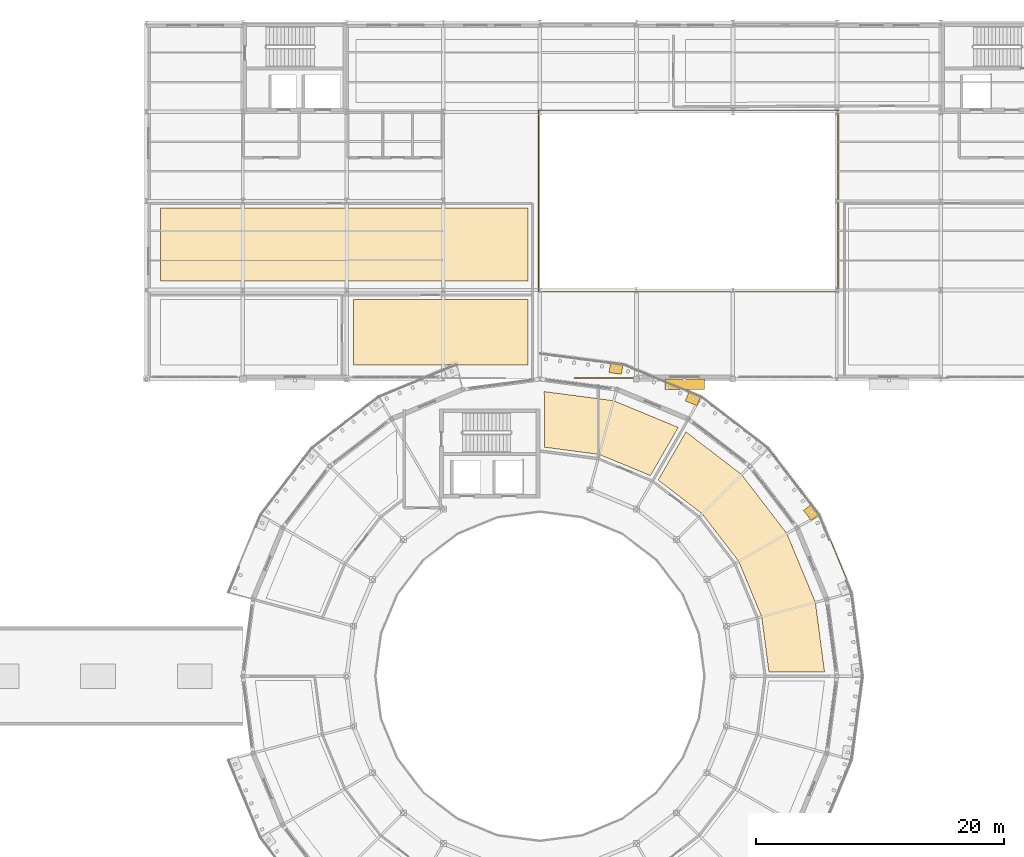
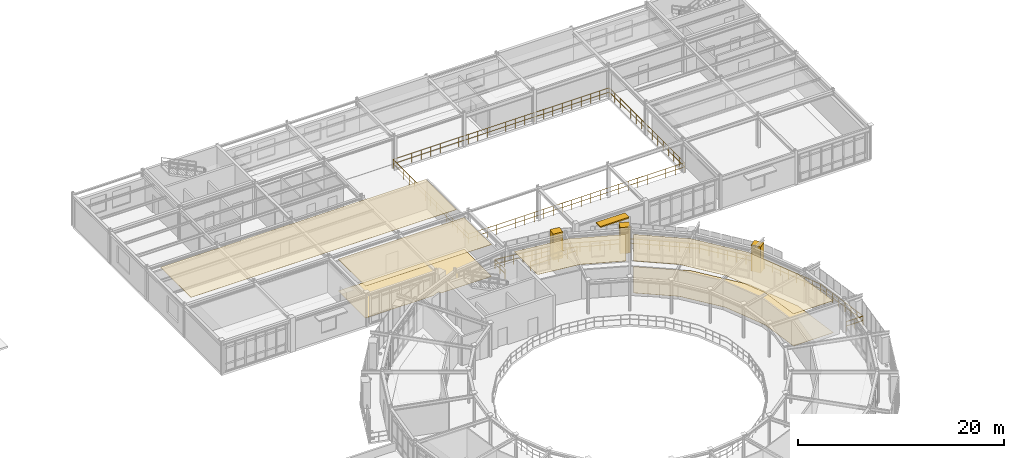
# One storey, part 68 of 70: 6 coverings, 4 railings, 4 shading devices.
"""IFC4 building model written with IfcOpenShell, lengths in metres."""

from ifc_helpers import new_model, si_unit, derived_unit, direction, frame, origin, origin_2d, place, context, subcontext, project, spatial, polyline, rectangle, circle, outline, extrude, material, layer, layer_set, type_object, element, save


model = new_model("IFC4")

# Units and contexts
model_context = context("Model", 3, precision=1e-05, world=origin(), true_north=direction((0.0, 1.0)))
body_context = subcontext(model_context, "Body", "Model", "MODEL_VIEW")
ifc_project = project(units=[si_unit("LENGTHUNIT", "METRE"), si_unit("AREAUNIT", "SQUARE_METRE"), si_unit("VOLUMEUNIT", "CUBIC_METRE"), si_unit("PLANEANGLEUNIT", "RADIAN"), si_unit("MASSUNIT", "GRAM", prefix="KILO"), derived_unit("THERMALTRANSMITTANCEUNIT", [(si_unit("POWERUNIT", "WATT"), 1), (si_unit("AREAUNIT", "SQUARE_METRE"), -1), (si_unit("THERMODYNAMICTEMPERATUREUNIT", "KELVIN"), -1)])], contexts=[model_context])

# Site, building, storey
site_placement = place(None, origin())
site = spatial("IfcSite", under=ifc_project, at=site_placement, CompositionType="ELEMENT")
building_placement = place(site_placement, origin())
building = spatial("IfcBuilding", under=site, at=building_placement, Name="Yasenodar Specialist Clinic", CompositionType="ELEMENT")
storey_placement = place(building_placement, frame((0.0, 0.0, 13.199951171875)))
storey = spatial("IfcBuildingStorey", under=building, at=storey_placement, Name="L03", CompositionType="ELEMENT", Elevation=13.199951171875)

# Coverings
ifc_material_1 = material(Name="Hygienic Acoustic Mineral-Fibre Ceiling")
ifc_layer_1 = layer(ifc_material_1, 0.02490234375)
ifc_layer_set_1 = layer_set([ifc_layer_1], Name="Hygienic Acoustic Mineral-Fibre Ceiling")
covering_type_1 = type_object("IfcCoveringType", Name="COV-CEIL-AC", PredefinedType="CEILING", material=ifc_layer_set_1)
covering_1_placement = place(storey_placement, frame((0.0, 0.0, 3.775146484375)))
element("IfcCovering", 1, at=covering_1_placement, inside=storey, type_object=covering_type_1, Name="L03 Ophthalmic Laser Treatment Suite Acoustic Ceiling", PredefinedType="CEILING", context=body_context, shape_type="SweptSolid", body=[
    extrude(outline(polyline([(98.922119140625, 63.5859375), (98.9140625, 63.615966796875), (98.903076171875, 63.64404296875), (97.0849609375, 68.033935546875), (97.072021484375, 68.06201171875), (97.056884765625, 68.087890625), (97.0390625, 68.113037109375), (94.14697265625, 71.882080078125), (94.126953125, 71.906005859375), (94.10595703125, 71.927001953125), (94.08203125, 71.947021484375), (90.556884765625, 74.653076171875), (92.803955078125, 78.5439453125), (97.297119140625, 75.096923828125), (100.958984375, 70.322998046875), (103.261962890625, 64.764892578125), (104.0009765625, 59.14990234375), (99.507080078125, 59.14990234375), (98.927001953125, 63.555908203125), (98.922119140625, 63.5859375)])), origin(), (0.0, 0.0, 1.0), 0.02490234375),
])
covering_2_placement = place(storey_placement, frame((0.0, 0.0, 3.775146484375)))
element("IfcCovering", 2, at=covering_2_placement, inside=storey, type_object=covering_type_1, Name="L03 Retinal Imaging Examination Room Acoustic Ceiling", PredefinedType="CEILING", context=body_context, shape_type="SweptSolid", body=[
    extrude(outline(polyline([(92.178955078125, 78.902099609375), (89.931884765625, 75.010009765625), (85.843994140625, 76.702880859375), (85.81591796875, 76.714111328125), (85.785888671875, 76.721923828125), (85.756103515625, 76.72705078125), (81.368896484375, 77.303955078125), (81.35205078125, 81.801025390625), (86.965087890625, 81.06201171875), (92.178955078125, 78.902099609375)])), origin(), (0.0, 0.0, 1.0), 0.02490234375),
])
covering_3_placement = place(storey_placement, frame((0.0, 0.0, 3.76513671875)))
element("IfcCovering", 3, at=covering_3_placement, inside=storey, type_object=covering_type_1, Name="L03 Hematology and Coagulation Laboratory Acoustic Ceiling", PredefinedType="CEILING", context=body_context, shape_type="SweptSolid", body=[
    extrude(outline(polyline([(80.050048828125, 83.949951171875), (65.949951171875, 83.949951171875), (65.949951171875, 89.25), (80.050048828125, 89.25), (80.050048828125, 83.949951171875)])), origin(), (0.0, 0.0, 1.0), 0.02490234375),
])
covering_4_placement = place(storey_placement, frame((0.0, 0.0, 3.775146484375)))
element("IfcCovering", 4, at=covering_4_placement, inside=storey, type_object=covering_type_1, Name="L03 Histopathology Microscopy Laboratory Acoustic Ceiling", PredefinedType="CEILING", context=body_context, shape_type="SweptSolid", body=[
    extrude(outline(polyline([(80.050048828125, 90.75), (50.35009765625, 90.75), (50.35009765625, 96.64990234375), (80.050048828125, 96.64990234375), (80.050048828125, 90.75)])), origin(), (0.0, 0.0, 1.0), 0.02490234375),
])
ifc_material_2 = material(Name="Seamless Epoxy Terrazzo Clinical Flooring")
ifc_layer_2 = layer(ifc_material_2, 0.02001953125)
ifc_layer_set_2 = layer_set([ifc_layer_2], Name="Seamless Epoxy Terrazzo Clinical Flooring")
covering_type_2 = type_object("IfcCoveringType", Name="COV-FLR-TERR", PredefinedType="FLOORING", material=ifc_layer_set_2)
covering_5_placement = place(storey_placement, origin())
element("IfcCovering", 5, at=covering_5_placement, inside=storey, type_object=covering_type_2, Name="L03 Ophthalmic Laser Treatment Suite Terrazzo Flooring", PredefinedType="FLOORING", context=body_context, shape_type="SweptSolid", body=[
    extrude(outline(polyline([(98.922119140625, 63.5859375), (98.9140625, 63.615966796875), (98.903076171875, 63.64404296875), (97.0849609375, 68.033935546875), (97.072021484375, 68.06201171875), (97.056884765625, 68.087890625), (97.0390625, 68.113037109375), (94.14697265625, 71.882080078125), (94.126953125, 71.906005859375), (94.10595703125, 71.927001953125), (94.08203125, 71.947021484375), (90.556884765625, 74.653076171875), (92.803955078125, 78.5439453125), (97.297119140625, 75.096923828125), (100.958984375, 70.322998046875), (103.261962890625, 64.764892578125), (104.0009765625, 59.14990234375), (99.507080078125, 59.14990234375), (98.927001953125, 63.555908203125), (98.922119140625, 63.5859375)])), origin(), (0.0, 0.0, 1.0), 0.02001953125),
])
covering_6_placement = place(storey_placement, origin())
element("IfcCovering", 6, at=covering_6_placement, inside=storey, type_object=covering_type_2, Name="L03 Hematology and Coagulation Laboratory Terrazzo Flooring", PredefinedType="FLOORING", context=body_context, shape_type="SweptSolid", body=[
    extrude(outline(polyline([(80.050048828125, 83.949951171875), (74.3798828125, 83.949951171875), (74.325927734375, 84.154052734375), (74.322998046875, 84.1630859375), (74.319091796875, 84.172119140625), (74.31396484375, 84.180908203125), (74.30810546875, 84.18896484375), (74.301025390625, 84.197021484375), (74.2939453125, 84.2041015625), (74.285888671875, 84.2099609375), (74.278076171875, 84.215087890625), (74.26904296875, 84.218994140625), (74.259033203125, 84.222900390625), (74.25, 84.22607421875), (74.239990234375, 84.22705078125), (74.22998046875, 84.22802734375), (74.219970703125, 84.22705078125), (74.2099609375, 84.22607421875), (74.199951171875, 84.222900390625), (74.19091796875, 84.219970703125), (73.5390625, 83.949951171875), (65.949951171875, 83.949951171875), (65.949951171875, 89.25), (80.050048828125, 89.25), (80.050048828125, 83.949951171875)])), origin(), (0.0, 0.0, 1.0), 0.02001953125),
])

# Railings
ifc_material_3 = material(Name="Bronze Anodized Aluminium and Larch Balustrade", Category="aluminium")
railing_type_1 = type_object("IfcRailingType", Name="RL-BAL-1120", PredefinedType="BALUSTRADE", material=ifc_material_3)
railing_1_placement = place(storey_placement, frame((105.219970703125, 58.800048828125, 0.0)))
element("IfcRailing", 7, at=railing_1_placement, inside=storey, type_object=railing_type_1, Name="L03 Drum V1 Balcony Balustrade 1", PredefinedType="BALUSTRADE", context=body_context, shape_type="SweptSolid", body=[
    extrude(circle(Radius=0.02392578125, at=origin_2d()), frame((0.0, 0.0, 1.09619140625), z_axis=(1.0, 0.0, 0.0), x_axis=(0.0, 1.0, 0.0)), (0.0, 0.0, 1.0), 1.900146484375),
    extrude(circle(Radius=0.02392578125, at=origin_2d()), frame((0.0, 0.0, 0.58251953125), z_axis=(1.0, 0.0, 0.0), x_axis=(0.0, 1.0, 0.0)), (0.0, 0.0, 1.0), 1.900146484375),
    extrude(circle(Radius=0.02392578125, at=origin_2d()), frame((1.900146484375, 0.0, 1.09619140625), z_axis=(-0.130545279945, 0.99144234824, 0.0), x_axis=(-0.99144234824, -0.130545279945, 0.0)), (0.0, 0.0, 1.0), 6.818603515625),
    extrude(circle(Radius=0.02392578125, at=origin_2d()), frame((1.900146484375, 0.0, 0.58251953125), z_axis=(-0.130545279945, 0.99144234824, 0.0), x_axis=(-0.99144234824, -0.130545279945, 0.0)), (0.0, 0.0, 1.0), 6.818603515625),
    extrude(circle(Radius=0.02392578125, at=origin_2d()), frame((1.010009765625, 6.76025390625, 1.09619140625), z_axis=(-0.382672223843, 0.923884175154, 0.0), x_axis=(-0.923884175154, -0.382672223843, 0.0)), (0.0, 0.0, 1.0), 6.81884765625),
    extrude(circle(Radius=0.02392578125, at=origin_2d()), frame((1.010009765625, 6.76025390625, 0.58251953125), z_axis=(-0.382672223843, 0.923884175154, 0.0), x_axis=(-0.923884175154, -0.382672223843, 0.0)), (0.0, 0.0, 1.0), 6.81884765625),
    extrude(circle(Radius=0.02392578125, at=origin_2d()), frame((-1.599365234375, 13.06005859375, 1.09619140625), z_axis=(-0.608791534996, 0.793330238247, 0.0), x_axis=(-0.793330238247, -0.608791534996, 0.0)), (0.0, 0.0, 1.0), 6.818603515625),
    extrude(circle(Radius=0.02392578125, at=origin_2d()), frame((-1.599365234375, 13.06005859375, 0.58251953125), z_axis=(-0.608791534996, 0.793330238247, 0.0), x_axis=(-0.793330238247, -0.608791534996, 0.0)), (0.0, 0.0, 1.0), 6.818603515625),
    extrude(circle(Radius=0.02392578125, at=origin_2d()), frame((-5.75048828125, 18.469482421875, 1.09619140625), z_axis=(-0.793330238247, 0.608791534996, 0.0), x_axis=(-0.608791534996, -0.793330238247, 0.0)), (0.0, 0.0, 1.0), 6.818603515625),
    extrude(circle(Radius=0.02392578125, at=origin_2d()), frame((-5.75048828125, 18.469482421875, 0.58251953125), z_axis=(-0.793330238247, 0.608791534996, 0.0), x_axis=(-0.608791534996, -0.793330238247, 0.0)), (0.0, 0.0, 1.0), 6.818603515625),
    extrude(circle(Radius=0.02392578125, at=origin_2d()), frame((-11.159912109375, 22.62060546875, 1.09619140625), z_axis=(-0.923878931839, 0.382684882513, 0.0), x_axis=(-0.382684882513, -0.923878931839, 0.0)), (0.0, 0.0, 1.0), 6.818603515625),
    extrude(circle(Radius=0.02392578125, at=origin_2d()), frame((-11.159912109375, 22.62060546875, 0.58251953125), z_axis=(-0.923878931839, 0.382684882513, 0.0), x_axis=(-0.382684882513, -0.923878931839, 0.0)), (0.0, 0.0, 1.0), 6.818603515625),
    extrude(circle(Radius=0.02392578125, at=origin_2d()), frame((-17.45947265625, 25.22998046875, 1.09619140625), z_axis=(-0.991447591654, 0.130505452009, 0.0), x_axis=(-0.130505452009, -0.991447591654, 0.0)), (0.0, 0.0, 1.0), 6.81884765625),
    extrude(circle(Radius=0.02392578125, at=origin_2d()), frame((-17.45947265625, 25.22998046875, 0.58251953125), z_axis=(-0.991447591654, 0.130505452009, 0.0), x_axis=(-0.130505452009, -0.991447591654, 0.0)), (0.0, 0.0, 1.0), 6.81884765625),
    extrude(circle(Radius=0.02392578125, at=origin_2d()), frame((-24.219970703125, 26.119873046875, 1.09619140625), z_axis=(0.0, -1.0, 0.0), x_axis=(1.0, 0.0, 0.0)), (0.0, 0.0, 1.0), 1.89990234375),
    extrude(circle(Radius=0.02392578125, at=origin_2d()), frame((-24.219970703125, 26.119873046875, 0.58251953125), z_axis=(0.0, -1.0, 0.0), x_axis=(1.0, 0.0, 0.0)), (0.0, 0.0, 1.0), 1.89990234375),
    extrude(circle(Radius=0.02099609375, at=origin_2d()), origin(), (0.0, 0.0, 1.0), 1.072021484375),
    extrude(circle(Radius=0.02099609375, at=origin_2d()), frame((0.9501953125, 0.0, 0.0)), (0.0, 0.0, 1.0), 1.072021484375),
    extrude(circle(Radius=0.02099609375, at=origin_2d()), frame((1.900146484375, 0.0, 0.0)), (0.0, 0.0, 1.0), 1.072021484375),
    extrude(circle(Radius=0.02099609375, at=origin_2d()), frame((1.77294921875, 0.9658203125, 0.0)), (0.0, 0.0, 1.0), 1.072021484375),
    extrude(circle(Radius=0.02099609375, at=origin_2d()), frame((1.645751953125, 1.931396484375, 0.0)), (0.0, 0.0, 1.0), 1.072021484375),
    extrude(circle(Radius=0.02099609375, at=origin_2d()), frame((1.5185546875, 2.897216796875, 0.0)), (0.0, 0.0, 1.0), 1.072021484375),
    extrude(circle(Radius=0.02099609375, at=origin_2d()), frame((1.3916015625, 3.863037109375, 0.0)), (0.0, 0.0, 1.0), 1.072021484375),
    extrude(circle(Radius=0.02099609375, at=origin_2d()), frame((1.264404296875, 4.828857421875, 0.0)), (0.0, 0.0, 1.0), 1.072021484375),
    extrude(circle(Radius=0.02099609375, at=origin_2d()), frame((1.13720703125, 5.79443359375, 0.0)), (0.0, 0.0, 1.0), 1.072021484375),
    extrude(circle(Radius=0.02099609375, at=origin_2d()), frame((1.010009765625, 6.76025390625, 0.0)), (0.0, 0.0, 1.0), 1.072021484375),
    extrude(circle(Radius=0.02099609375, at=origin_2d()), frame((0.63720703125, 7.66015625, 0.0)), (0.0, 0.0, 1.0), 1.072021484375),
    extrude(circle(Radius=0.02099609375, at=origin_2d()), frame((0.264404296875, 8.560302734375, 0.0)), (0.0, 0.0, 1.0), 1.072021484375),
    extrude(circle(Radius=0.02099609375, at=origin_2d()), frame((-0.1083984375, 9.460205078125, 0.0)), (0.0, 0.0, 1.0), 1.072021484375),
    extrude(circle(Radius=0.02099609375, at=origin_2d()), frame((-0.48095703125, 10.360107421875, 0.0)), (0.0, 0.0, 1.0), 1.072021484375),
    extrude(circle(Radius=0.02099609375, at=origin_2d()), frame((-0.853759765625, 11.260009765625, 0.0)), (0.0, 0.0, 1.0), 1.072021484375),
    extrude(circle(Radius=0.02099609375, at=origin_2d()), frame((-1.2265625, 12.16015625, 0.0)), (0.0, 0.0, 1.0), 1.072021484375),
    extrude(circle(Radius=0.02099609375, at=origin_2d()), frame((-1.599365234375, 13.06005859375, 0.0)), (0.0, 0.0, 1.0), 1.072021484375),
    extrude(circle(Radius=0.02099609375, at=origin_2d()), frame((-2.1923828125, 13.832763671875, 0.0)), (0.0, 0.0, 1.0), 1.072021484375),
    extrude(circle(Radius=0.02099609375, at=origin_2d()), frame((-2.785400390625, 14.605712890625, 0.0)), (0.0, 0.0, 1.0), 1.072021484375),
    extrude(circle(Radius=0.02099609375, at=origin_2d()), frame((-3.37841796875, 15.37841796875, 0.0)), (0.0, 0.0, 1.0), 1.072021484375),
    extrude(circle(Radius=0.02099609375, at=origin_2d()), frame((-3.971435546875, 16.151123046875, 0.0)), (0.0, 0.0, 1.0), 1.072021484375),
    extrude(circle(Radius=0.02099609375, at=origin_2d()), frame((-4.564453125, 16.923828125, 0.0)), (0.0, 0.0, 1.0), 1.072021484375),
    extrude(circle(Radius=0.02099609375, at=origin_2d()), frame((-5.157470703125, 17.69677734375, 0.0)), (0.0, 0.0, 1.0), 1.072021484375),
    extrude(circle(Radius=0.02099609375, at=origin_2d()), frame((-5.75048828125, 18.469482421875, 0.0)), (0.0, 0.0, 1.0), 1.072021484375),
    extrude(circle(Radius=0.02099609375, at=origin_2d()), frame((-6.523193359375, 19.0625, 0.0)), (0.0, 0.0, 1.0), 1.072021484375),
    extrude(circle(Radius=0.02099609375, at=origin_2d()), frame((-7.296142578125, 19.655517578125, 0.0)), (0.0, 0.0, 1.0), 1.072021484375),
    extrude(circle(Radius=0.02099609375, at=origin_2d()), frame((-8.06884765625, 20.24853515625, 0.0)), (0.0, 0.0, 1.0), 1.072021484375),
    extrude(circle(Radius=0.02099609375, at=origin_2d()), frame((-8.841552734375, 20.841552734375, 0.0)), (0.0, 0.0, 1.0), 1.072021484375),
    extrude(circle(Radius=0.02099609375, at=origin_2d()), frame((-9.6142578125, 21.4345703125, 0.0)), (0.0, 0.0, 1.0), 1.072021484375),
    extrude(circle(Radius=0.02099609375, at=origin_2d()), frame((-10.38720703125, 22.027587890625, 0.0)), (0.0, 0.0, 1.0), 1.072021484375),
    extrude(circle(Radius=0.02099609375, at=origin_2d()), frame((-11.159912109375, 22.62060546875, 0.0)), (0.0, 0.0, 1.0), 1.072021484375),
    extrude(circle(Radius=0.02099609375, at=origin_2d()), frame((-12.059814453125, 22.993408203125, 0.0)), (0.0, 0.0, 1.0), 1.072021484375),
    extrude(circle(Radius=0.02099609375, at=origin_2d()), frame((-12.959716796875, 23.3662109375, 0.0)), (0.0, 0.0, 1.0), 1.072021484375),
    extrude(circle(Radius=0.02099609375, at=origin_2d()), frame((-13.859619140625, 23.739013671875, 0.0)), (0.0, 0.0, 1.0), 1.072021484375),
    extrude(circle(Radius=0.02099609375, at=origin_2d()), frame((-14.759765625, 24.111572265625, 0.0)), (0.0, 0.0, 1.0), 1.072021484375),
    extrude(circle(Radius=0.02099609375, at=origin_2d()), frame((-15.65966796875, 24.484375, 0.0)), (0.0, 0.0, 1.0), 1.072021484375),
    extrude(circle(Radius=0.02099609375, at=origin_2d()), frame((-16.5595703125, 24.857177734375, 0.0)), (0.0, 0.0, 1.0), 1.072021484375),
    extrude(circle(Radius=0.02099609375, at=origin_2d()), frame((-17.45947265625, 25.22998046875, 0.0)), (0.0, 0.0, 1.0), 1.072021484375),
    extrude(circle(Radius=0.02099609375, at=origin_2d()), frame((-18.42529296875, 25.357177734375, 0.0)), (0.0, 0.0, 1.0), 1.072021484375),
    extrude(circle(Radius=0.02099609375, at=origin_2d()), frame((-19.39111328125, 25.484130859375, 0.0)), (0.0, 0.0, 1.0), 1.072021484375),
    extrude(circle(Radius=0.02099609375, at=origin_2d()), frame((-20.35693359375, 25.611328125, 0.0)), (0.0, 0.0, 1.0), 1.072021484375),
    extrude(circle(Radius=0.02099609375, at=origin_2d()), frame((-21.322509765625, 25.738525390625, 0.0)), (0.0, 0.0, 1.0), 1.072021484375),
    extrude(circle(Radius=0.02099609375, at=origin_2d()), frame((-22.288330078125, 25.86572265625, 0.0)), (0.0, 0.0, 1.0), 1.072021484375),
    extrude(circle(Radius=0.02099609375, at=origin_2d()), frame((-23.254150390625, 25.99267578125, 0.0)), (0.0, 0.0, 1.0), 1.072021484375),
    extrude(circle(Radius=0.02099609375, at=origin_2d()), frame((-24.219970703125, 26.119873046875, 0.0)), (0.0, 0.0, 1.0), 1.072021484375),
    extrude(circle(Radius=0.02099609375, at=origin_2d()), frame((-24.219970703125, 25.169921875, 0.0)), (0.0, 0.0, 1.0), 1.072021484375),
    extrude(circle(Radius=0.02099609375, at=origin_2d()), frame((-24.219970703125, 24.219970703125, 0.0)), (0.0, 0.0, 1.0), 1.072021484375),
])
ifc_material_4 = material(Name="Steel S355 Painted Guardrail", Category="steel")
railing_type_2 = type_object("IfcRailingType", Name="RL-GRD-1120", PredefinedType="GUARDRAIL", material=ifc_material_4)
railing_2_placement = place(storey_placement, frame((80.89990234375, 89.89990234375, 0.0)))
element("IfcRailing", 8, at=railing_2_placement, inside=storey, type_object=railing_type_2, Name="L03 V5 Lightwell South-East Guardrail", PredefinedType="GUARDRAIL", context=body_context, shape_type="SweptSolid", body=[
    extrude(circle(Radius=0.02392578125, at=origin_2d()), frame((0.0, 0.0, 1.09619140625), z_axis=(1.0, 0.0, 0.0), x_axis=(0.0, 1.0, 0.0)), (0.0, 0.0, 1.0), 24.2001953125),
    extrude(circle(Radius=0.02392578125, at=origin_2d()), frame((0.0, 0.0, 0.58251953125), z_axis=(1.0, 0.0, 0.0), x_axis=(0.0, 1.0, 0.0)), (0.0, 0.0, 1.0), 24.2001953125),
    extrude(circle(Radius=0.02392578125, at=origin_2d()), frame((24.2001953125, 0.0, 1.09619140625), z_axis=(0.0, 1.0, 0.0), x_axis=(-1.0, 0.0, 0.0)), (0.0, 0.0, 1.0), 14.60009765625),
    extrude(circle(Radius=0.02392578125, at=origin_2d()), frame((24.2001953125, 0.0, 0.58251953125), z_axis=(0.0, 1.0, 0.0), x_axis=(-1.0, 0.0, 0.0)), (0.0, 0.0, 1.0), 14.60009765625),
    extrude(circle(Radius=0.02099609375, at=origin_2d()), origin(), (0.0, 0.0, 1.0), 1.072021484375),
    extrude(circle(Radius=0.02099609375, at=origin_2d()), frame((1.05224609375, 0.0, 0.0)), (0.0, 0.0, 1.0), 1.072021484375),
    extrude(circle(Radius=0.02099609375, at=origin_2d()), frame((2.104248046875, 0.0, 0.0)), (0.0, 0.0, 1.0), 1.072021484375),
    extrude(circle(Radius=0.02099609375, at=origin_2d()), frame((3.156494140625, 0.0, 0.0)), (0.0, 0.0, 1.0), 1.072021484375),
    extrude(circle(Radius=0.02099609375, at=origin_2d()), frame((4.208740234375, 0.0, 0.0)), (0.0, 0.0, 1.0), 1.072021484375),
    extrude(circle(Radius=0.02099609375, at=origin_2d()), frame((5.260986328125, 0.0, 0.0)), (0.0, 0.0, 1.0), 1.072021484375),
    extrude(circle(Radius=0.02099609375, at=origin_2d()), frame((6.31298828125, 0.0, 0.0)), (0.0, 0.0, 1.0), 1.072021484375),
    extrude(circle(Radius=0.02099609375, at=origin_2d()), frame((7.365234375, 0.0, 0.0)), (0.0, 0.0, 1.0), 1.072021484375),
    extrude(circle(Radius=0.02099609375, at=origin_2d()), frame((8.41748046875, 0.0, 0.0)), (0.0, 0.0, 1.0), 1.072021484375),
    extrude(circle(Radius=0.02099609375, at=origin_2d()), frame((9.4697265625, 0.0, 0.0)), (0.0, 0.0, 1.0), 1.072021484375),
    extrude(circle(Radius=0.02099609375, at=origin_2d()), frame((10.521728515625, 0.0, 0.0)), (0.0, 0.0, 1.0), 1.072021484375),
    extrude(circle(Radius=0.02099609375, at=origin_2d()), frame((11.573974609375, 0.0, 0.0)), (0.0, 0.0, 1.0), 1.072021484375),
    extrude(circle(Radius=0.02099609375, at=origin_2d()), frame((12.626220703125, 0.0, 0.0)), (0.0, 0.0, 1.0), 1.072021484375),
    extrude(circle(Radius=0.02099609375, at=origin_2d()), frame((13.678466796875, 0.0, 0.0)), (0.0, 0.0, 1.0), 1.072021484375),
    extrude(circle(Radius=0.02099609375, at=origin_2d()), frame((14.73046875, 0.0, 0.0)), (0.0, 0.0, 1.0), 1.072021484375),
    extrude(circle(Radius=0.02099609375, at=origin_2d()), frame((15.78271484375, 0.0, 0.0)), (0.0, 0.0, 1.0), 1.072021484375),
    extrude(circle(Radius=0.02099609375, at=origin_2d()), frame((16.8349609375, 0.0, 0.0)), (0.0, 0.0, 1.0), 1.072021484375),
    extrude(circle(Radius=0.02099609375, at=origin_2d()), frame((17.88720703125, 0.0, 0.0)), (0.0, 0.0, 1.0), 1.072021484375),
    extrude(circle(Radius=0.02099609375, at=origin_2d()), frame((18.939208984375, 0.0, 0.0)), (0.0, 0.0, 1.0), 1.072021484375),
    extrude(circle(Radius=0.02099609375, at=origin_2d()), frame((19.991455078125, 0.0, 0.0)), (0.0, 0.0, 1.0), 1.072021484375),
    extrude(circle(Radius=0.02099609375, at=origin_2d()), frame((21.043701171875, 0.0, 0.0)), (0.0, 0.0, 1.0), 1.072021484375),
    extrude(circle(Radius=0.02099609375, at=origin_2d()), frame((22.095947265625, 0.0, 0.0)), (0.0, 0.0, 1.0), 1.072021484375),
    extrude(circle(Radius=0.02099609375, at=origin_2d()), frame((23.14794921875, 0.0, 0.0)), (0.0, 0.0, 1.0), 1.072021484375),
    extrude(circle(Radius=0.02099609375, at=origin_2d()), frame((24.2001953125, 0.0, 0.0)), (0.0, 0.0, 1.0), 1.072021484375),
    extrude(circle(Radius=0.02099609375, at=origin_2d()), frame((24.2001953125, 1.04296875, 0.0)), (0.0, 0.0, 1.0), 1.072021484375),
    extrude(circle(Radius=0.02099609375, at=origin_2d()), frame((24.2001953125, 2.085693359375, 0.0)), (0.0, 0.0, 1.0), 1.072021484375),
    extrude(circle(Radius=0.02099609375, at=origin_2d()), frame((24.2001953125, 3.128662109375, 0.0)), (0.0, 0.0, 1.0), 1.072021484375),
    extrude(circle(Radius=0.02099609375, at=origin_2d()), frame((24.2001953125, 4.17138671875, 0.0)), (0.0, 0.0, 1.0), 1.072021484375),
    extrude(circle(Radius=0.02099609375, at=origin_2d()), frame((24.2001953125, 5.21435546875, 0.0)), (0.0, 0.0, 1.0), 1.072021484375),
    extrude(circle(Radius=0.02099609375, at=origin_2d()), frame((24.2001953125, 6.257080078125, 0.0)), (0.0, 0.0, 1.0), 1.072021484375),
    extrude(circle(Radius=0.02099609375, at=origin_2d()), frame((24.2001953125, 7.300048828125, 0.0)), (0.0, 0.0, 1.0), 1.072021484375),
    extrude(circle(Radius=0.02099609375, at=origin_2d()), frame((24.2001953125, 8.343017578125, 0.0)), (0.0, 0.0, 1.0), 1.072021484375),
    extrude(circle(Radius=0.02099609375, at=origin_2d()), frame((24.2001953125, 9.3857421875, 0.0)), (0.0, 0.0, 1.0), 1.072021484375),
    extrude(circle(Radius=0.02099609375, at=origin_2d()), frame((24.2001953125, 10.4287109375, 0.0)), (0.0, 0.0, 1.0), 1.072021484375),
    extrude(circle(Radius=0.02099609375, at=origin_2d()), frame((24.2001953125, 11.471435546875, 0.0)), (0.0, 0.0, 1.0), 1.072021484375),
    extrude(circle(Radius=0.02099609375, at=origin_2d()), frame((24.2001953125, 12.514404296875, 0.0)), (0.0, 0.0, 1.0), 1.072021484375),
    extrude(circle(Radius=0.02099609375, at=origin_2d()), frame((24.2001953125, 13.55712890625, 0.0)), (0.0, 0.0, 1.0), 1.072021484375),
    extrude(circle(Radius=0.02099609375, at=origin_2d()), frame((24.2001953125, 14.60009765625, 0.0)), (0.0, 0.0, 1.0), 1.072021484375),
])
railing_3_placement = place(storey_placement, frame((105.10009765625, 104.5, 0.0)))
element("IfcRailing", 9, at=railing_3_placement, inside=storey, type_object=railing_type_2, Name="L03 V5 Lightwell North-West Guardrail", PredefinedType="GUARDRAIL", context=body_context, shape_type="SweptSolid", body=[
    extrude(circle(Radius=0.02392578125, at=origin_2d()), frame((0.0, 0.0, 1.09619140625), z_axis=(-1.0, 0.0, 0.0), x_axis=(0.0, -1.0, 0.0)), (0.0, 0.0, 1.0), 24.2001953125),
    extrude(circle(Radius=0.02392578125, at=origin_2d()), frame((0.0, 0.0, 0.58251953125), z_axis=(-1.0, 0.0, 0.0), x_axis=(0.0, -1.0, 0.0)), (0.0, 0.0, 1.0), 24.2001953125),
    extrude(circle(Radius=0.02392578125, at=origin_2d()), frame((-24.2001953125, 0.0, 1.09619140625), z_axis=(0.0, -1.0, 0.0), x_axis=(1.0, 0.0, 0.0)), (0.0, 0.0, 1.0), 14.60009765625),
    extrude(circle(Radius=0.02392578125, at=origin_2d()), frame((-24.2001953125, 0.0, 0.58251953125), z_axis=(0.0, -1.0, 0.0), x_axis=(1.0, 0.0, 0.0)), (0.0, 0.0, 1.0), 14.60009765625),
    extrude(circle(Radius=0.02099609375, at=origin_2d()), origin(), (0.0, 0.0, 1.0), 1.072021484375),
    extrude(circle(Radius=0.02099609375, at=origin_2d()), frame((-1.05224609375, 0.0, 0.0)), (0.0, 0.0, 1.0), 1.072021484375),
    extrude(circle(Radius=0.02099609375, at=origin_2d()), frame((-2.104248046875, 0.0, 0.0)), (0.0, 0.0, 1.0), 1.072021484375),
    extrude(circle(Radius=0.02099609375, at=origin_2d()), frame((-3.156494140625, 0.0, 0.0)), (0.0, 0.0, 1.0), 1.072021484375),
    extrude(circle(Radius=0.02099609375, at=origin_2d()), frame((-4.208740234375, 0.0, 0.0)), (0.0, 0.0, 1.0), 1.072021484375),
    extrude(circle(Radius=0.02099609375, at=origin_2d()), frame((-5.260986328125, 0.0, 0.0)), (0.0, 0.0, 1.0), 1.072021484375),
    extrude(circle(Radius=0.02099609375, at=origin_2d()), frame((-6.31298828125, 0.0, 0.0)), (0.0, 0.0, 1.0), 1.072021484375),
    extrude(circle(Radius=0.02099609375, at=origin_2d()), frame((-7.365234375, 0.0, 0.0)), (0.0, 0.0, 1.0), 1.072021484375),
    extrude(circle(Radius=0.02099609375, at=origin_2d()), frame((-8.41748046875, 0.0, 0.0)), (0.0, 0.0, 1.0), 1.072021484375),
    extrude(circle(Radius=0.02099609375, at=origin_2d()), frame((-9.4697265625, 0.0, 0.0)), (0.0, 0.0, 1.0), 1.072021484375),
    extrude(circle(Radius=0.02099609375, at=origin_2d()), frame((-10.521728515625, 0.0, 0.0)), (0.0, 0.0, 1.0), 1.072021484375),
    extrude(circle(Radius=0.02099609375, at=origin_2d()), frame((-11.573974609375, 0.0, 0.0)), (0.0, 0.0, 1.0), 1.072021484375),
    extrude(circle(Radius=0.02099609375, at=origin_2d()), frame((-12.626220703125, 0.0, 0.0)), (0.0, 0.0, 1.0), 1.072021484375),
    extrude(circle(Radius=0.02099609375, at=origin_2d()), frame((-13.678466796875, 0.0, 0.0)), (0.0, 0.0, 1.0), 1.072021484375),
    extrude(circle(Radius=0.02099609375, at=origin_2d()), frame((-14.73046875, 0.0, 0.0)), (0.0, 0.0, 1.0), 1.072021484375),
    extrude(circle(Radius=0.02099609375, at=origin_2d()), frame((-15.78271484375, 0.0, 0.0)), (0.0, 0.0, 1.0), 1.072021484375),
    extrude(circle(Radius=0.02099609375, at=origin_2d()), frame((-16.8349609375, 0.0, 0.0)), (0.0, 0.0, 1.0), 1.072021484375),
    extrude(circle(Radius=0.02099609375, at=origin_2d()), frame((-17.88720703125, 0.0, 0.0)), (0.0, 0.0, 1.0), 1.072021484375),
    extrude(circle(Radius=0.02099609375, at=origin_2d()), frame((-18.939208984375, 0.0, 0.0)), (0.0, 0.0, 1.0), 1.072021484375),
    extrude(circle(Radius=0.02099609375, at=origin_2d()), frame((-19.991455078125, 0.0, 0.0)), (0.0, 0.0, 1.0), 1.072021484375),
    extrude(circle(Radius=0.02099609375, at=origin_2d()), frame((-21.043701171875, 0.0, 0.0)), (0.0, 0.0, 1.0), 1.072021484375),
    extrude(circle(Radius=0.02099609375, at=origin_2d()), frame((-22.095947265625, 0.0, 0.0)), (0.0, 0.0, 1.0), 1.072021484375),
    extrude(circle(Radius=0.02099609375, at=origin_2d()), frame((-23.14794921875, 0.0, 0.0)), (0.0, 0.0, 1.0), 1.072021484375),
    extrude(circle(Radius=0.02099609375, at=origin_2d()), frame((-24.2001953125, 0.0, 0.0)), (0.0, 0.0, 1.0), 1.072021484375),
    extrude(circle(Radius=0.02099609375, at=origin_2d()), frame((-24.2001953125, -1.04296875, 0.0)), (0.0, 0.0, 1.0), 1.072021484375),
    extrude(circle(Radius=0.02099609375, at=origin_2d()), frame((-24.2001953125, -2.085693359375, 0.0)), (0.0, 0.0, 1.0), 1.072021484375),
    extrude(circle(Radius=0.02099609375, at=origin_2d()), frame((-24.2001953125, -3.128662109375, 0.0)), (0.0, 0.0, 1.0), 1.072021484375),
    extrude(circle(Radius=0.02099609375, at=origin_2d()), frame((-24.2001953125, -4.17138671875, 0.0)), (0.0, 0.0, 1.0), 1.072021484375),
    extrude(circle(Radius=0.02099609375, at=origin_2d()), frame((-24.2001953125, -5.21435546875, 0.0)), (0.0, 0.0, 1.0), 1.072021484375),
    extrude(circle(Radius=0.02099609375, at=origin_2d()), frame((-24.2001953125, -6.257080078125, 0.0)), (0.0, 0.0, 1.0), 1.072021484375),
    extrude(circle(Radius=0.02099609375, at=origin_2d()), frame((-24.2001953125, -7.300048828125, 0.0)), (0.0, 0.0, 1.0), 1.072021484375),
    extrude(circle(Radius=0.02099609375, at=origin_2d()), frame((-24.2001953125, -8.343017578125, 0.0)), (0.0, 0.0, 1.0), 1.072021484375),
    extrude(circle(Radius=0.02099609375, at=origin_2d()), frame((-24.2001953125, -9.3857421875, 0.0)), (0.0, 0.0, 1.0), 1.072021484375),
    extrude(circle(Radius=0.02099609375, at=origin_2d()), frame((-24.2001953125, -10.4287109375, 0.0)), (0.0, 0.0, 1.0), 1.072021484375),
    extrude(circle(Radius=0.02099609375, at=origin_2d()), frame((-24.2001953125, -11.471435546875, 0.0)), (0.0, 0.0, 1.0), 1.072021484375),
    extrude(circle(Radius=0.02099609375, at=origin_2d()), frame((-24.2001953125, -12.514404296875, 0.0)), (0.0, 0.0, 1.0), 1.072021484375),
    extrude(circle(Radius=0.02099609375, at=origin_2d()), frame((-24.2001953125, -13.55712890625, 0.0)), (0.0, 0.0, 1.0), 1.072021484375),
    extrude(circle(Radius=0.02099609375, at=origin_2d()), frame((-24.2001953125, -14.60009765625, 0.0)), (0.0, 0.0, 1.0), 1.072021484375),
])
railing_4_placement = place(storey_placement, frame((83.800048828125, 82.89990234375, 0.0)))
element("IfcRailing", 10, at=railing_4_placement, inside=storey, type_object=railing_type_2, Name="L03 V5 Drum Junction East Guardrail", PredefinedType="GUARDRAIL", context=body_context, shape_type="SweptSolid", body=[
    extrude(circle(Radius=0.02392578125, at=origin_2d()), frame((0.0, 0.0, 1.09619140625), z_axis=(1.0, 0.0, 0.0), x_axis=(0.0, 1.0, 0.0)), (0.0, 0.0, 1.0), 5.199951171875),
    extrude(circle(Radius=0.02392578125, at=origin_2d()), frame((0.0, 0.0, 0.58251953125), z_axis=(1.0, 0.0, 0.0), x_axis=(0.0, 1.0, 0.0)), (0.0, 0.0, 1.0), 5.199951171875),
    extrude(circle(Radius=0.02099609375, at=origin_2d()), origin(), (0.0, 0.0, 1.0), 1.072021484375),
    extrude(circle(Radius=0.02099609375, at=origin_2d()), frame((1.0400390625, 0.0, 0.0)), (0.0, 0.0, 1.0), 1.072021484375),
    extrude(circle(Radius=0.02099609375, at=origin_2d()), frame((2.080078125, 0.0, 0.0)), (0.0, 0.0, 1.0), 1.072021484375),
    extrude(circle(Radius=0.02099609375, at=origin_2d()), frame((3.119873046875, 0.0, 0.0)), (0.0, 0.0, 1.0), 1.072021484375),
    extrude(circle(Radius=0.02099609375, at=origin_2d()), frame((4.159912109375, 0.0, 0.0)), (0.0, 0.0, 1.0), 1.072021484375),
    extrude(circle(Radius=0.02099609375, at=origin_2d()), frame((5.199951171875, 0.0, 0.0)), (0.0, 0.0, 1.0), 1.072021484375),
])

# Shading devices
ifc_material_5 = material(Name="Bronze Anodized Aluminium Chhajja Sunshade", Category="aluminium")
shading_device_type_1 = type_object("IfcShadingDeviceType", Name="SHD-CHHAJJA-850", PredefinedType="JALOUSIE", material=ifc_material_5)
shading_device_placement = place(storey_placement, frame((92.699951171875, 82.3798828125, 3.10791015625), z_axis=(0.0, 0.0, 1.0), x_axis=(-1.0, 0.0, 0.0)))
element("IfcShadingDevice", 11, at=shading_device_placement, inside=storey, type_object=shading_device_type_1, Name="L03 Chhajja Solar Overhang 456", PredefinedType="JALOUSIE", context=body_context, shape_type="SweptSolid", body=[
    extrude(rectangle(XDim=3.199951171875, YDim=0.85009765625, at=origin_2d()), origin(), (0.0, 0.0, 1.0), 0.139892578125),
])
ifc_material_6 = material(Name="Thermally Modified Larch and Bronze Girih Jali Shutter")
shading_device_type_2 = type_object("IfcShadingDeviceType", Name="SHD-JALI-850", PredefinedType="SHUTTER", material=ifc_material_6)
for number, where, z_axis, x_axis, name in (
    (12, (102.9462890625, 72.0478515625, -0.0048828125), (0.0, 0.0, 1.0), (-0.608764217148, 0.793351200869, 0.0), "L03 Mughal Girih Jali Sliding Shutter Frame 0226"),
    (13, (93.382080078125, 81.24609375, -0.0048828125), (0.0, 0.0, 1.0), (-0.923878192594, 0.382686667195, 0.0), "L03 Mughal Girih Jali Sliding Shutter Frame 0238"),
    (14, (87.150634765625, 83.68603515625, -0.0048828125), (0.0, 0.0, 1.0), (-0.991445783754, 0.130519185854, 0.0), "L03 Mughal Girih Jali Sliding Shutter Frame 0244"),
):
    element("IfcShadingDevice", number, at=place(storey_placement, frame(where, z_axis=z_axis, x_axis=x_axis)), inside=storey, type_object=shading_device_type_2, Name=name, PredefinedType="SHUTTER", context=body_context, shape_type="SweptSolid", body=[
        extrude(rectangle(XDim=1.02001953125, YDim=0.85009765625, at=origin_2d()), origin(), (0.0, 0.0, 1.0), 3.10009765625),
    ])

save(model, "model.ifc")
